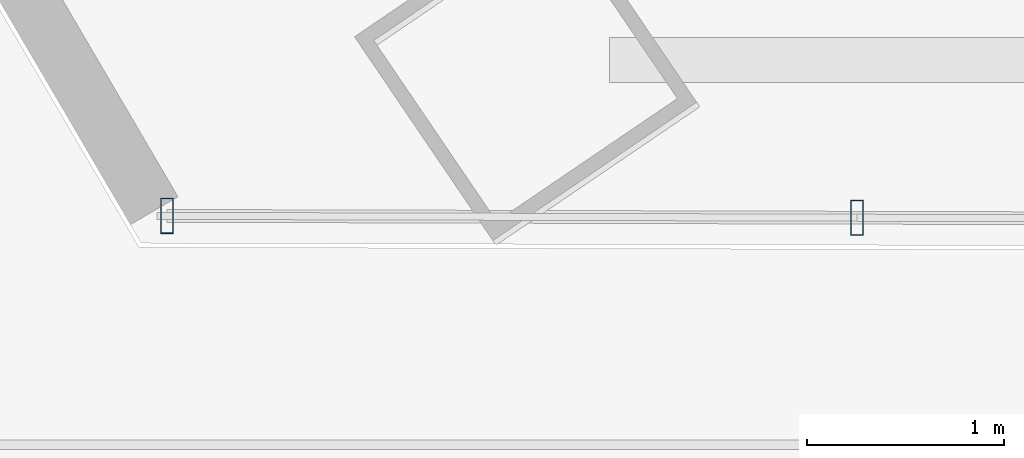
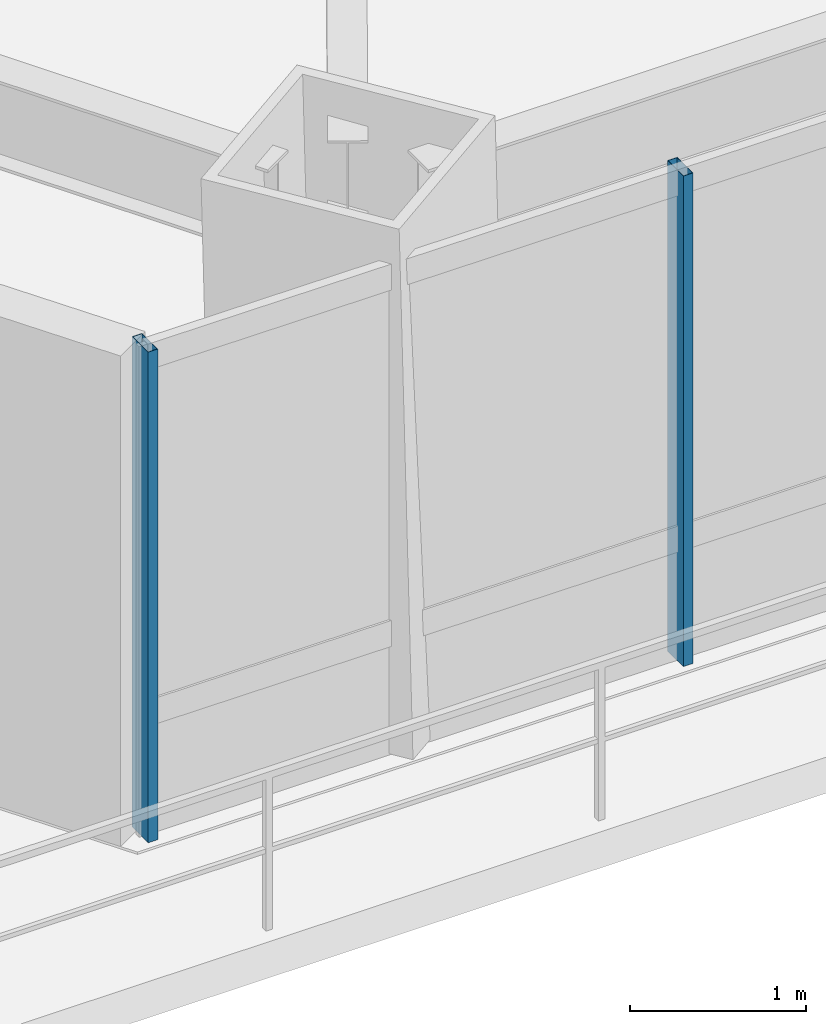
# One storey, part 4 of 35: 2 members, 1 element without a shape of its own.
"""IFC4 building model written with IfcOpenShell, lengths in metres."""

from ifc_helpers import new_model, si_unit, direction, frame, origin, origin_2d, place, context, subcontext, project, spatial, hollow_rectangle, extrude, source, transform, mapped, material, material_profile, profile_set, type_object, type_shapes, element, aggregate, save


model = new_model("IFC4")

# Units and contexts
model_context = context("Model", 3, precision=1e-05, world=origin(), true_north=direction((0.0, 1.0)))
body_context = subcontext(model_context, "Body", "Model", "MODEL_VIEW")
ifc_project = project(units=[si_unit("LENGTHUNIT", "METRE"), si_unit("AREAUNIT", "SQUARE_METRE"), si_unit("VOLUMEUNIT", "CUBIC_METRE"), si_unit("PLANEANGLEUNIT", "RADIAN"), si_unit("MASSUNIT", "GRAM", prefix="KILO")], contexts=[model_context])

# Site, building, storey
site_placement = place(None, origin())
site = spatial("IfcSite", under=ifc_project, at=site_placement, CompositionType="ELEMENT")
building_placement = place(site_placement, origin())
building = spatial("IfcBuilding", under=site, at=building_placement, Name="Caelisora Broadcast Tower", CompositionType="ELEMENT")
storey_placement = place(building_placement, frame((0.0, 0.0, 27.60009765625)))
storey = spatial("IfcBuildingStorey", under=building, at=storey_placement, Name="L06", CompositionType="ELEMENT", Elevation=27.60009765625)

# Curtain wall, members
ifc_material_1 = material(Name="Unitised Aluminium and Low-E Glass Curtain Wall", Category="glass")
curtain_wall_type = type_object("IfcCurtainWallType", Name="CW-Z1", PredefinedType="NOTDEFINED", material=ifc_material_1)
curtain_wall_placement = place(storey_placement, origin())
curtain_wall = element("IfcCurtainWall", 1, at=curtain_wall_placement, inside=storey, type_object=curtain_wall_type, Name="L06 curtain wall CW-Z1", PredefinedType="NOTDEFINED")
ifc_material_2 = material(Name="Aluminium 6063-T6 Anodised Terracotta Bronze", Category="aluminium")
ifc_material_profile = material_profile(ifc_material_2, hollow_rectangle(XDim=0.06494140625, YDim=0.179931640625, WallThickness=0.00341796875, at=origin_2d()), Name="Aluminium 6063-T6 Anodised Terracotta Bronze")
ifc_profile_set = profile_set([ifc_material_profile], Name="Aluminium 6063-T6 Anodised Terracotta Bronze")
member_type = type_object("IfcMemberType", Name="CWM-02", PredefinedType="MULLION", material=ifc_profile_set)
shared_shape = source(origin(), body_context, "Body", "SweptSolid", [
    extrude(hollow_rectangle(XDim=0.06494140625, YDim=0.179931640625, WallThickness=0.00341796875, at=origin_2d()), origin(), (0.0, 0.0, 1.0), 3.39990234375),
])
type_shapes(member_type, [shared_shape])
member_1_placement = place(storey_placement, frame((25.0341796875, 4.0712890625, 0.0), z_axis=(0.0, 0.0, 1.0), x_axis=(1.0, 0.0, 0.0)))
member_1 = element("IfcMember", 2, at=member_1_placement, type_object=member_type, Name="L06-CW-B07 mullion #2", PredefinedType="MULLION", context=body_context, shape_type="MappedRepresentation", body=[
    mapped(shared_shape, transform((0.0, 0.0, 0.0), scale=1.0)),
])
member_2_placement = place(storey_placement, frame((21.531005859375, 4.080810546875, 0.0), z_axis=(0.0, 0.0, 1.0), x_axis=(1.0, 0.0, 0.0)))
member_2 = element("IfcMember", 3, at=member_2_placement, type_object=member_type, Name="L06-CW-B07 mullion #3", PredefinedType="MULLION", context=body_context, shape_type="MappedRepresentation", body=[
    mapped(shared_shape, transform((0.0, 0.0, 0.0), scale=1.0)),
])
aggregate(curtain_wall, [member_1, member_2])

save(model, "model.ifc")
